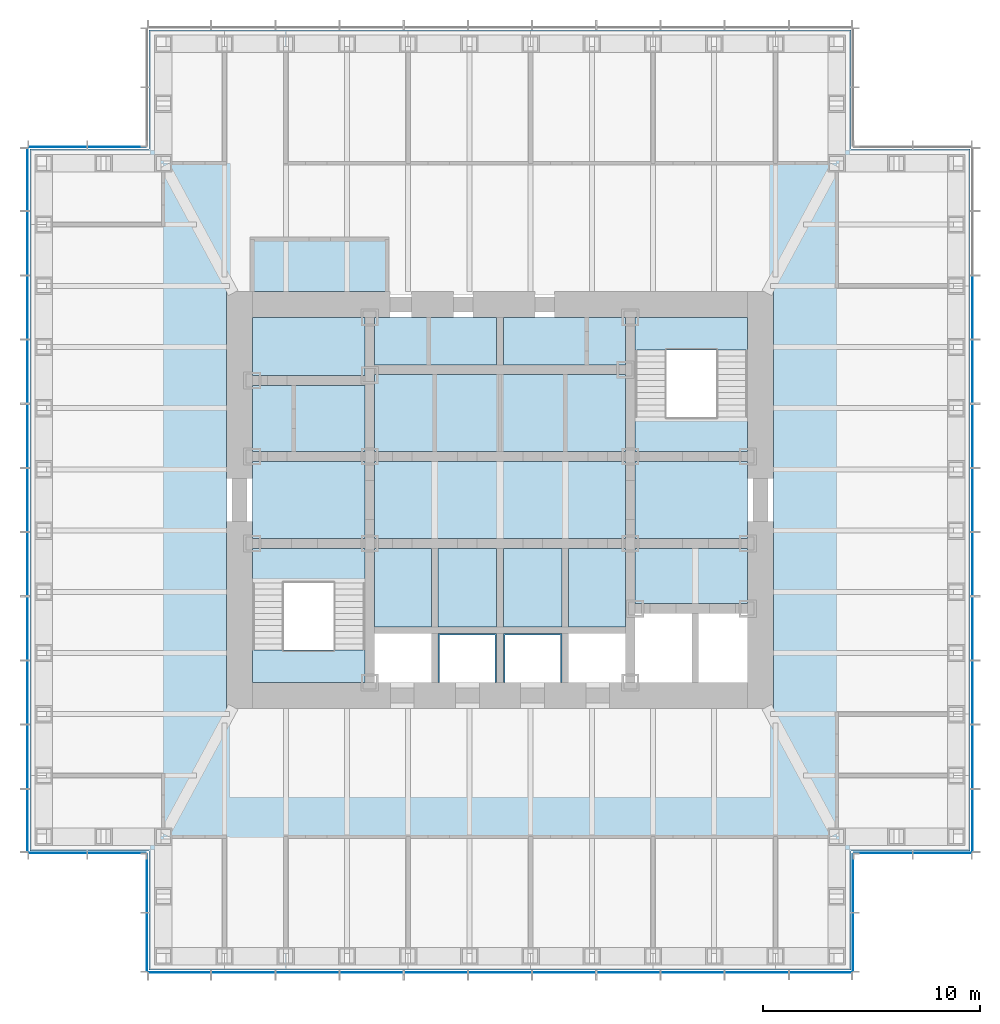
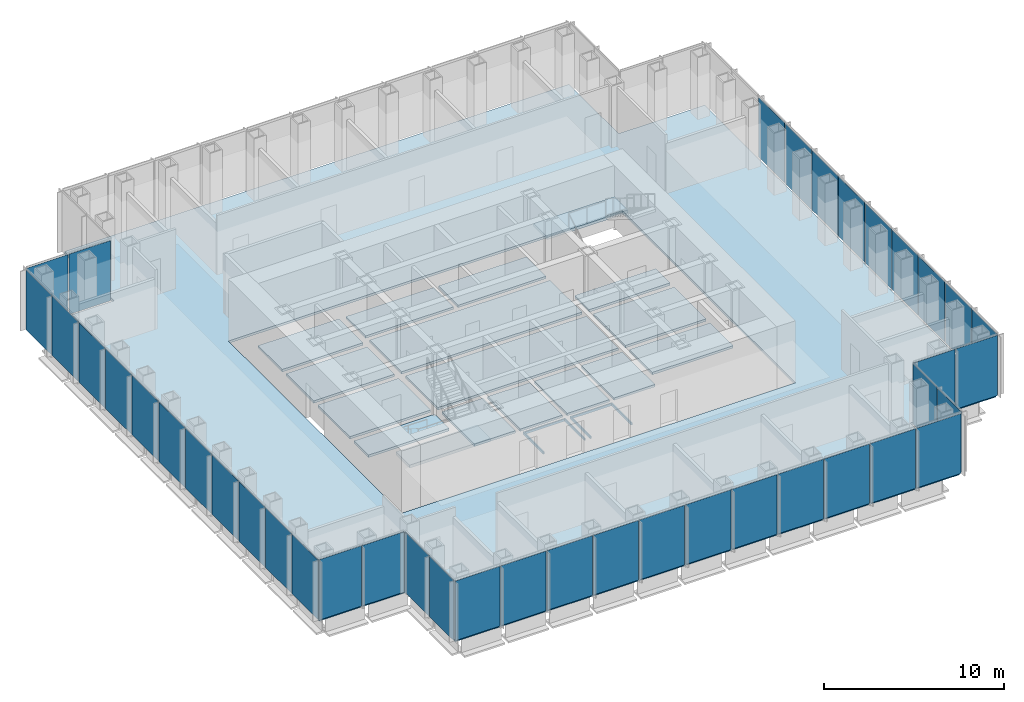
# One storey, part 7 of 16: 41 plates, 20 slabs, 10 elements without a shape of their own.
"""IFC4 building model written with IfcOpenShell, lengths in metres."""

from ifc_helpers import new_model, si_unit, direction, frame, origin, origin_2d, place, context, subcontext, project, spatial, polyline, rectangle, outline, extrude, material, layer, layer_set, type_object, element, aggregate, save


model = new_model("IFC4")

# Units and contexts
model_context = context("Model", 3, precision=1e-05, world=origin(), true_north=direction((0.0, 1.0)))
body_context = subcontext(model_context, "Body", "Model", "MODEL_VIEW")
ifc_project = project(units=[si_unit("LENGTHUNIT", "METRE"), si_unit("AREAUNIT", "SQUARE_METRE"), si_unit("VOLUMEUNIT", "CUBIC_METRE"), si_unit("PLANEANGLEUNIT", "RADIAN"), si_unit("MASSUNIT", "GRAM", prefix="KILO")], contexts=[model_context])

# Site, building, storey
site_placement = place(None, origin())
site = spatial("IfcSite", under=ifc_project, at=site_placement, CompositionType="ELEMENT")
building_placement = place(site_placement, origin())
building = spatial("IfcBuilding", under=site, at=building_placement, Name="Daluyong Arena Tower", CompositionType="ELEMENT")
storey_placement = place(building_placement, frame((0.0, 0.0, 219.10009765625)))
storey = spatial("IfcBuildingStorey", under=building, at=storey_placement, Name="L49", CompositionType="ELEMENT", Elevation=219.10009765625)

# Curtain wall, plates
ifc_material_1 = material(Name="Bronze anodised aluminium and glass", Category="aluminium")
curtain_wall_type_1 = type_object("IfcCurtainWallType", Name="Curtain wall CW3", PredefinedType="USERDEFINED", material=ifc_material_1)
curtain_wall_1_placement = place(storey_placement, origin())
curtain_wall_1 = element("IfcCurtainWall", 1, at=curtain_wall_1_placement, inside=storey, type_object=curtain_wall_type_1, Name="curtain wall L49 S", ObjectType="UNITISED CURTAIN WALL", PredefinedType="USERDEFINED")
ifc_material_2 = material(Name="Tinted double glazed unit", Category="glass")
ifc_layer_1 = layer(ifc_material_2, 0.030029296875)
ifc_layer_set_1 = layer_set([ifc_layer_1], Name="Tinted double glazed unit")
plate_type_1 = type_object("IfcPlateType", Name="CW3 panel 30", PredefinedType="CURTAIN_PANEL", material=ifc_layer_set_1)
plate_1_placement = place(storey_placement, frame((41.244873046875, 58.25, 0.0), z_axis=(0.0, 0.0, 1.0), x_axis=(1.0, 0.0, 0.0)))
plate_1 = element("IfcPlate", 2, at=plate_1_placement, type_object=plate_type_1, Name="curtain wall L49 S panel 1", PredefinedType="CURTAIN_PANEL", context=body_context, shape_type="SweptSolid", body=[
    extrude(rectangle(XDim=2.849609375, YDim=0.030029296875, at=origin_2d()), origin(), (0.0, 0.0, 1.0), 4.0400390625),
])
plate_2_placement = place(storey_placement, frame((44.181884765625, 58.25, 0.0), z_axis=(0.0, 0.0, 1.0), x_axis=(1.0, 0.0, 0.0)))
plate_2 = element("IfcPlate", 3, at=plate_2_placement, type_object=plate_type_1, Name="curtain wall L49 S panel 2", PredefinedType="CURTAIN_PANEL", context=body_context, shape_type="SweptSolid", body=[
    extrude(rectangle(XDim=2.884521484375, YDim=0.030029296875, at=origin_2d()), origin(), (0.0, 0.0, 1.0), 4.0400390625),
])
plate_3_placement = place(storey_placement, frame((47.136474609375, 58.25, 0.0), z_axis=(0.0, 0.0, 1.0), x_axis=(1.0, 0.0, 0.0)))
plate_3 = element("IfcPlate", 4, at=plate_3_placement, type_object=plate_type_1, Name="curtain wall L49 S panel 3", PredefinedType="CURTAIN_PANEL", context=body_context, shape_type="SweptSolid", body=[
    extrude(rectangle(XDim=2.884521484375, YDim=0.030029296875, at=origin_2d()), origin(), (0.0, 0.0, 1.0), 4.0400390625),
])
plate_4_placement = place(storey_placement, frame((50.0908203125, 58.25, 0.0), z_axis=(0.0, 0.0, 1.0), x_axis=(1.0, 0.0, 0.0)))
plate_4 = element("IfcPlate", 5, at=plate_4_placement, type_object=plate_type_1, Name="curtain wall L49 S panel 4", PredefinedType="CURTAIN_PANEL", context=body_context, shape_type="SweptSolid", body=[
    extrude(rectangle(XDim=2.884521484375, YDim=0.030029296875, at=origin_2d()), origin(), (0.0, 0.0, 1.0), 4.0400390625),
])
plate_5_placement = place(storey_placement, frame((53.04541015625, 58.25, 0.0), z_axis=(0.0, 0.0, 1.0), x_axis=(1.0, 0.0, 0.0)))
plate_5 = element("IfcPlate", 6, at=plate_5_placement, type_object=plate_type_1, Name="curtain wall L49 S panel 5", PredefinedType="CURTAIN_PANEL", context=body_context, shape_type="SweptSolid", body=[
    extrude(rectangle(XDim=2.884521484375, YDim=0.030029296875, at=origin_2d()), origin(), (0.0, 0.0, 1.0), 4.0400390625),
])
plate_6_placement = place(storey_placement, frame((56.0, 58.25, 0.0), z_axis=(0.0, 0.0, 1.0), x_axis=(1.0, 0.0, 0.0)))
plate_6 = element("IfcPlate", 7, at=plate_6_placement, type_object=plate_type_1, Name="curtain wall L49 S panel 6", PredefinedType="CURTAIN_PANEL", context=body_context, shape_type="SweptSolid", body=[
    extrude(rectangle(XDim=2.884521484375, YDim=0.030029296875, at=origin_2d()), origin(), (0.0, 0.0, 1.0), 4.0400390625),
])
plate_7_placement = place(storey_placement, frame((58.95458984375, 58.25, 0.0), z_axis=(0.0, 0.0, 1.0), x_axis=(1.0, 0.0, 0.0)))
plate_7 = element("IfcPlate", 8, at=plate_7_placement, type_object=plate_type_1, Name="curtain wall L49 S panel 7", PredefinedType="CURTAIN_PANEL", context=body_context, shape_type="SweptSolid", body=[
    extrude(rectangle(XDim=2.884521484375, YDim=0.030029296875, at=origin_2d()), origin(), (0.0, 0.0, 1.0), 4.0400390625),
])
plate_8_placement = place(storey_placement, frame((61.9091796875, 58.25, 0.0), z_axis=(0.0, 0.0, 1.0), x_axis=(1.0, 0.0, 0.0)))
plate_8 = element("IfcPlate", 9, at=plate_8_placement, type_object=plate_type_1, Name="curtain wall L49 S panel 8", PredefinedType="CURTAIN_PANEL", context=body_context, shape_type="SweptSolid", body=[
    extrude(rectangle(XDim=2.884521484375, YDim=0.030029296875, at=origin_2d()), origin(), (0.0, 0.0, 1.0), 4.0400390625),
])
plate_9_placement = place(storey_placement, frame((64.863525390625, 58.25, 0.0), z_axis=(0.0, 0.0, 1.0), x_axis=(1.0, 0.0, 0.0)))
plate_9 = element("IfcPlate", 10, at=plate_9_placement, type_object=plate_type_1, Name="curtain wall L49 S panel 9", PredefinedType="CURTAIN_PANEL", context=body_context, shape_type="SweptSolid", body=[
    extrude(rectangle(XDim=2.884521484375, YDim=0.030029296875, at=origin_2d()), origin(), (0.0, 0.0, 1.0), 4.0400390625),
])
plate_10_placement = place(storey_placement, frame((67.818115234375, 58.25, 0.0), z_axis=(0.0, 0.0, 1.0), x_axis=(1.0, 0.0, 0.0)))
plate_10 = element("IfcPlate", 11, at=plate_10_placement, type_object=plate_type_1, Name="curtain wall L49 S panel 10", PredefinedType="CURTAIN_PANEL", context=body_context, shape_type="SweptSolid", body=[
    extrude(rectangle(XDim=2.884521484375, YDim=0.030029296875, at=origin_2d()), origin(), (0.0, 0.0, 1.0), 4.0400390625),
])
plate_11_placement = place(storey_placement, frame((70.755126953125, 58.25, 0.0), z_axis=(0.0, 0.0, 1.0), x_axis=(1.0, 0.0, 0.0)))
plate_11 = element("IfcPlate", 12, at=plate_11_placement, type_object=plate_type_1, Name="curtain wall L49 S panel 11", PredefinedType="CURTAIN_PANEL", context=body_context, shape_type="SweptSolid", body=[
    extrude(rectangle(XDim=2.849609375, YDim=0.030029296875, at=origin_2d()), origin(), (0.0, 0.0, 1.0), 4.0400390625),
])
aggregate(curtain_wall_1, [plate_1, plate_2, plate_3, plate_4, plate_5, plate_6, plate_7, plate_8, plate_9, plate_10, plate_11])

curtain_wall_2_placement = place(storey_placement, origin())
curtain_wall_2 = element("IfcCurtainWall", 13, at=curtain_wall_2_placement, inside=storey, type_object=curtain_wall_type_1, Name="curtain wall L49 E", ObjectType="UNITISED CURTAIN WALL", PredefinedType="USERDEFINED")
plate_12_placement = place(storey_placement, frame((77.75, 65.244873046875, 0.0), z_axis=(0.0, 0.0, 1.0), x_axis=(0.0, 1.0, 0.0)))
plate_12 = element("IfcPlate", 14, at=plate_12_placement, type_object=plate_type_1, Name="curtain wall L49 E panel 1", PredefinedType="CURTAIN_PANEL", context=body_context, shape_type="SweptSolid", body=[
    extrude(rectangle(XDim=2.849609375, YDim=0.030029296875, at=origin_2d()), origin(), (0.0, 0.0, 1.0), 4.0400390625),
])
plate_13_placement = place(storey_placement, frame((77.75, 68.181884765625, 0.0), z_axis=(0.0, 0.0, 1.0), x_axis=(0.0, 1.0, 0.0)))
plate_13 = element("IfcPlate", 15, at=plate_13_placement, type_object=plate_type_1, Name="curtain wall L49 E panel 2", PredefinedType="CURTAIN_PANEL", context=body_context, shape_type="SweptSolid", body=[
    extrude(rectangle(XDim=2.884521484375, YDim=0.030029296875, at=origin_2d()), origin(), (0.0, 0.0, 1.0), 4.0400390625),
])
plate_14_placement = place(storey_placement, frame((77.75, 71.136474609375, 0.0), z_axis=(0.0, 0.0, 1.0), x_axis=(0.0, 1.0, 0.0)))
plate_14 = element("IfcPlate", 16, at=plate_14_placement, type_object=plate_type_1, Name="curtain wall L49 E panel 3", PredefinedType="CURTAIN_PANEL", context=body_context, shape_type="SweptSolid", body=[
    extrude(rectangle(XDim=2.884521484375, YDim=0.030029296875, at=origin_2d()), origin(), (0.0, 0.0, 1.0), 4.0400390625),
])
plate_15_placement = place(storey_placement, frame((77.75, 74.0908203125, 0.0), z_axis=(0.0, 0.0, 1.0), x_axis=(0.0, 1.0, 0.0)))
plate_15 = element("IfcPlate", 17, at=plate_15_placement, type_object=plate_type_1, Name="curtain wall L49 E panel 4", PredefinedType="CURTAIN_PANEL", context=body_context, shape_type="SweptSolid", body=[
    extrude(rectangle(XDim=2.884521484375, YDim=0.030029296875, at=origin_2d()), origin(), (0.0, 0.0, 1.0), 4.0400390625),
])
plate_16_placement = place(storey_placement, frame((77.75, 77.04541015625, 0.0), z_axis=(0.0, 0.0, 1.0), x_axis=(0.0, 1.0, 0.0)))
plate_16 = element("IfcPlate", 18, at=plate_16_placement, type_object=plate_type_1, Name="curtain wall L49 E panel 5", PredefinedType="CURTAIN_PANEL", context=body_context, shape_type="SweptSolid", body=[
    extrude(rectangle(XDim=2.884521484375, YDim=0.030029296875, at=origin_2d()), origin(), (0.0, 0.0, 1.0), 4.0400390625),
])
plate_17_placement = place(storey_placement, frame((77.75, 80.0, 0.0), z_axis=(0.0, 0.0, 1.0), x_axis=(0.0, 1.0, 0.0)))
plate_17 = element("IfcPlate", 19, at=plate_17_placement, type_object=plate_type_1, Name="curtain wall L49 E panel 6", PredefinedType="CURTAIN_PANEL", context=body_context, shape_type="SweptSolid", body=[
    extrude(rectangle(XDim=2.884521484375, YDim=0.030029296875, at=origin_2d()), origin(), (0.0, 0.0, 1.0), 4.0400390625),
])
plate_18_placement = place(storey_placement, frame((77.75, 82.95458984375, 0.0), z_axis=(0.0, 0.0, 1.0), x_axis=(0.0, 1.0, 0.0)))
plate_18 = element("IfcPlate", 20, at=plate_18_placement, type_object=plate_type_1, Name="curtain wall L49 E panel 7", PredefinedType="CURTAIN_PANEL", context=body_context, shape_type="SweptSolid", body=[
    extrude(rectangle(XDim=2.884521484375, YDim=0.030029296875, at=origin_2d()), origin(), (0.0, 0.0, 1.0), 4.0400390625),
])
plate_19_placement = place(storey_placement, frame((77.75, 85.9091796875, 0.0), z_axis=(0.0, 0.0, 1.0), x_axis=(0.0, 1.0, 0.0)))
plate_19 = element("IfcPlate", 21, at=plate_19_placement, type_object=plate_type_1, Name="curtain wall L49 E panel 8", PredefinedType="CURTAIN_PANEL", context=body_context, shape_type="SweptSolid", body=[
    extrude(rectangle(XDim=2.884521484375, YDim=0.030029296875, at=origin_2d()), origin(), (0.0, 0.0, 1.0), 4.0400390625),
])
plate_20_placement = place(storey_placement, frame((77.75, 88.863525390625, 0.0), z_axis=(0.0, 0.0, 1.0), x_axis=(0.0, 1.0, 0.0)))
plate_20 = element("IfcPlate", 22, at=plate_20_placement, type_object=plate_type_1, Name="curtain wall L49 E panel 9", PredefinedType="CURTAIN_PANEL", context=body_context, shape_type="SweptSolid", body=[
    extrude(rectangle(XDim=2.884521484375, YDim=0.030029296875, at=origin_2d()), origin(), (0.0, 0.0, 1.0), 4.0400390625),
])
aggregate(curtain_wall_2, [plate_12, plate_13, plate_14, plate_15, plate_16, plate_17, plate_18, plate_19, plate_20])

curtain_wall_3_placement = place(storey_placement, origin())
curtain_wall_3 = element("IfcCurtainWall", 23, at=curtain_wall_3_placement, inside=storey, type_object=curtain_wall_type_1, Name="curtain wall L49 W", ObjectType="UNITISED CURTAIN WALL", PredefinedType="USERDEFINED")
plate_21_placement = place(storey_placement, frame((34.25, 94.755126953125, 0.0), z_axis=(0.0, 0.0, 1.0), x_axis=(0.0, -1.0, 0.0)))
plate_21 = element("IfcPlate", 24, at=plate_21_placement, type_object=plate_type_1, Name="curtain wall L49 W panel 1", PredefinedType="CURTAIN_PANEL", context=body_context, shape_type="SweptSolid", body=[
    extrude(rectangle(XDim=2.849609375, YDim=0.030029296875, at=origin_2d()), origin(), (0.0, 0.0, 1.0), 4.0400390625),
])
plate_22_placement = place(storey_placement, frame((34.25, 91.818115234375, 0.0), z_axis=(0.0, 0.0, 1.0), x_axis=(0.0, -1.0, 0.0)))
plate_22 = element("IfcPlate", 25, at=plate_22_placement, type_object=plate_type_1, Name="curtain wall L49 W panel 2", PredefinedType="CURTAIN_PANEL", context=body_context, shape_type="SweptSolid", body=[
    extrude(rectangle(XDim=2.884521484375, YDim=0.030029296875, at=origin_2d()), origin(), (0.0, 0.0, 1.0), 4.0400390625),
])
plate_23_placement = place(storey_placement, frame((34.25, 88.863525390625, 0.0), z_axis=(0.0, 0.0, 1.0), x_axis=(0.0, -1.0, 0.0)))
plate_23 = element("IfcPlate", 26, at=plate_23_placement, type_object=plate_type_1, Name="curtain wall L49 W panel 3", PredefinedType="CURTAIN_PANEL", context=body_context, shape_type="SweptSolid", body=[
    extrude(rectangle(XDim=2.884521484375, YDim=0.030029296875, at=origin_2d()), origin(), (0.0, 0.0, 1.0), 4.0400390625),
])
plate_24_placement = place(storey_placement, frame((34.25, 85.9091796875, 0.0), z_axis=(0.0, 0.0, 1.0), x_axis=(0.0, -1.0, 0.0)))
plate_24 = element("IfcPlate", 27, at=plate_24_placement, type_object=plate_type_1, Name="curtain wall L49 W panel 4", PredefinedType="CURTAIN_PANEL", context=body_context, shape_type="SweptSolid", body=[
    extrude(rectangle(XDim=2.884521484375, YDim=0.030029296875, at=origin_2d()), origin(), (0.0, 0.0, 1.0), 4.0400390625),
])
plate_25_placement = place(storey_placement, frame((34.25, 82.95458984375, 0.0), z_axis=(0.0, 0.0, 1.0), x_axis=(0.0, -1.0, 0.0)))
plate_25 = element("IfcPlate", 28, at=plate_25_placement, type_object=plate_type_1, Name="curtain wall L49 W panel 5", PredefinedType="CURTAIN_PANEL", context=body_context, shape_type="SweptSolid", body=[
    extrude(rectangle(XDim=2.884521484375, YDim=0.030029296875, at=origin_2d()), origin(), (0.0, 0.0, 1.0), 4.0400390625),
])
plate_26_placement = place(storey_placement, frame((34.25, 80.0, 0.0), z_axis=(0.0, 0.0, 1.0), x_axis=(0.0, -1.0, 0.0)))
plate_26 = element("IfcPlate", 29, at=plate_26_placement, type_object=plate_type_1, Name="curtain wall L49 W panel 6", PredefinedType="CURTAIN_PANEL", context=body_context, shape_type="SweptSolid", body=[
    extrude(rectangle(XDim=2.884521484375, YDim=0.030029296875, at=origin_2d()), origin(), (0.0, 0.0, 1.0), 4.0400390625),
])
plate_27_placement = place(storey_placement, frame((34.25, 77.04541015625, 0.0), z_axis=(0.0, 0.0, 1.0), x_axis=(0.0, -1.0, 0.0)))
plate_27 = element("IfcPlate", 30, at=plate_27_placement, type_object=plate_type_1, Name="curtain wall L49 W panel 7", PredefinedType="CURTAIN_PANEL", context=body_context, shape_type="SweptSolid", body=[
    extrude(rectangle(XDim=2.884521484375, YDim=0.030029296875, at=origin_2d()), origin(), (0.0, 0.0, 1.0), 4.0400390625),
])
plate_28_placement = place(storey_placement, frame((34.25, 74.0908203125, 0.0), z_axis=(0.0, 0.0, 1.0), x_axis=(0.0, -1.0, 0.0)))
plate_28 = element("IfcPlate", 31, at=plate_28_placement, type_object=plate_type_1, Name="curtain wall L49 W panel 8", PredefinedType="CURTAIN_PANEL", context=body_context, shape_type="SweptSolid", body=[
    extrude(rectangle(XDim=2.884521484375, YDim=0.030029296875, at=origin_2d()), origin(), (0.0, 0.0, 1.0), 4.0400390625),
])
plate_29_placement = place(storey_placement, frame((34.25, 71.136474609375, 0.0), z_axis=(0.0, 0.0, 1.0), x_axis=(0.0, -1.0, 0.0)))
plate_29 = element("IfcPlate", 32, at=plate_29_placement, type_object=plate_type_1, Name="curtain wall L49 W panel 9", PredefinedType="CURTAIN_PANEL", context=body_context, shape_type="SweptSolid", body=[
    extrude(rectangle(XDim=2.884521484375, YDim=0.030029296875, at=origin_2d()), origin(), (0.0, 0.0, 1.0), 4.0400390625),
])
plate_30_placement = place(storey_placement, frame((34.25, 68.181884765625, 0.0), z_axis=(0.0, 0.0, 1.0), x_axis=(0.0, -1.0, 0.0)))
plate_30 = element("IfcPlate", 33, at=plate_30_placement, type_object=plate_type_1, Name="curtain wall L49 W panel 10", PredefinedType="CURTAIN_PANEL", context=body_context, shape_type="SweptSolid", body=[
    extrude(rectangle(XDim=2.884521484375, YDim=0.030029296875, at=origin_2d()), origin(), (0.0, 0.0, 1.0), 4.0400390625),
])
plate_31_placement = place(storey_placement, frame((34.25, 65.244873046875, 0.0), z_axis=(0.0, 0.0, 1.0), x_axis=(0.0, -1.0, 0.0)))
plate_31 = element("IfcPlate", 34, at=plate_31_placement, type_object=plate_type_1, Name="curtain wall L49 W panel 11", PredefinedType="CURTAIN_PANEL", context=body_context, shape_type="SweptSolid", body=[
    extrude(rectangle(XDim=2.849609375, YDim=0.030029296875, at=origin_2d()), origin(), (0.0, 0.0, 1.0), 4.0400390625),
])
aggregate(curtain_wall_3, [plate_21, plate_22, plate_23, plate_24, plate_25, plate_26, plate_27, plate_28, plate_29, plate_30, plate_31])

ifc_material_3 = material(Name="Bronze anodised aluminium and glass", Category="aluminium")
curtain_wall_type_2 = type_object("IfcCurtainWallType", Name="Curtain wall CW7", PredefinedType="USERDEFINED", material=ifc_material_3)
curtain_wall_4_placement = place(storey_placement, origin())
curtain_wall_4 = element("IfcCurtainWall", 35, at=curtain_wall_4_placement, inside=storey, type_object=curtain_wall_type_2, Name="curtain wall L49 SE-E", ObjectType="UNITISED CURTAIN WALL", PredefinedType="USERDEFINED")
ifc_material_4 = material(Name="Tinted double glazed unit", Category="glass")
ifc_layer_2 = layer(ifc_material_4, 0.028076171875)
ifc_layer_set_2 = layer_set([ifc_layer_2], Name="Tinted double glazed unit")
plate_type_2 = type_object("IfcPlateType", Name="CW7 panel 28", PredefinedType="CURTAIN_PANEL", material=ifc_layer_set_2)
plate_32_placement = place(storey_placement, frame((72.25, 59.639892578125, -0.000244140625), z_axis=(0.0, 0.0, 1.0), x_axis=(0.0, 1.0, 0.0)))
plate_32 = element("IfcPlate", 36, at=plate_32_placement, type_object=plate_type_2, Name="curtain wall L49 SE-E panel 1", PredefinedType="CURTAIN_PANEL", context=body_context, shape_type="SweptSolid", body=[
    extrude(rectangle(XDim=2.659912109375, YDim=0.028076171875, at=origin_2d()), origin(), (0.0, 0.0, 1.0), 4.080078125),
])
plate_33_placement = place(storey_placement, frame((72.25, 62.360107421875, -0.000244140625), z_axis=(0.0, 0.0, 1.0), x_axis=(0.0, 1.0, 0.0)))
plate_33 = element("IfcPlate", 37, at=plate_33_placement, type_object=plate_type_2, Name="curtain wall L49 SE-E panel 2", PredefinedType="CURTAIN_PANEL", context=body_context, shape_type="SweptSolid", body=[
    extrude(rectangle(XDim=2.659912109375, YDim=0.028076171875, at=origin_2d()), origin(), (0.0, 0.0, 1.0), 4.080078125),
])
aggregate(curtain_wall_4, [plate_32, plate_33])

curtain_wall_5_placement = place(storey_placement, origin())
curtain_wall_5 = element("IfcCurtainWall", 38, at=curtain_wall_5_placement, inside=storey, type_object=curtain_wall_type_2, Name="curtain wall L49 SE-S", ObjectType="UNITISED CURTAIN WALL", PredefinedType="USERDEFINED")
plate_34_placement = place(storey_placement, frame((73.639892578125, 63.75, -0.000244140625), z_axis=(0.0, 0.0, 1.0), x_axis=(1.0, 0.0, 0.0)))
plate_34 = element("IfcPlate", 39, at=plate_34_placement, type_object=plate_type_2, Name="curtain wall L49 SE-S panel 1", PredefinedType="CURTAIN_PANEL", context=body_context, shape_type="SweptSolid", body=[
    extrude(rectangle(XDim=2.659912109375, YDim=0.028076171875, at=origin_2d()), origin(), (0.0, 0.0, 1.0), 4.080078125),
])
plate_35_placement = place(storey_placement, frame((76.360107421875, 63.75, -0.000244140625), z_axis=(0.0, 0.0, 1.0), x_axis=(1.0, 0.0, 0.0)))
plate_35 = element("IfcPlate", 40, at=plate_35_placement, type_object=plate_type_2, Name="curtain wall L49 SE-S panel 2", PredefinedType="CURTAIN_PANEL", context=body_context, shape_type="SweptSolid", body=[
    extrude(rectangle(XDim=2.659912109375, YDim=0.028076171875, at=origin_2d()), origin(), (0.0, 0.0, 1.0), 4.080078125),
])
aggregate(curtain_wall_5, [plate_34, plate_35])

curtain_wall_6_placement = place(storey_placement, origin())
curtain_wall_6 = element("IfcCurtainWall", 41, at=curtain_wall_6_placement, inside=storey, type_object=curtain_wall_type_2, Name="curtain wall L49 NW-N", ObjectType="UNITISED CURTAIN WALL", PredefinedType="USERDEFINED")
plate_36_placement = place(storey_placement, frame((38.360107421875, 96.25, -0.000244140625), z_axis=(0.0, 0.0, 1.0), x_axis=(-1.0, 0.0, 0.0)))
plate_36 = element("IfcPlate", 42, at=plate_36_placement, type_object=plate_type_2, Name="curtain wall L49 NW-N panel 1", PredefinedType="CURTAIN_PANEL", context=body_context, shape_type="SweptSolid", body=[
    extrude(rectangle(XDim=2.659912109375, YDim=0.028076171875, at=origin_2d()), origin(), (0.0, 0.0, 1.0), 4.080078125),
])
plate_37_placement = place(storey_placement, frame((35.639892578125, 96.25, -0.000244140625), z_axis=(0.0, 0.0, 1.0), x_axis=(-1.0, 0.0, 0.0)))
plate_37 = element("IfcPlate", 43, at=plate_37_placement, type_object=plate_type_2, Name="curtain wall L49 NW-N panel 2", PredefinedType="CURTAIN_PANEL", context=body_context, shape_type="SweptSolid", body=[
    extrude(rectangle(XDim=2.659912109375, YDim=0.028076171875, at=origin_2d()), origin(), (0.0, 0.0, 1.0), 4.080078125),
])
aggregate(curtain_wall_6, [plate_36, plate_37])

curtain_wall_7_placement = place(storey_placement, origin())
curtain_wall_7 = element("IfcCurtainWall", 44, at=curtain_wall_7_placement, inside=storey, type_object=curtain_wall_type_2, Name="curtain wall L49 SW-S", ObjectType="UNITISED CURTAIN WALL", PredefinedType="USERDEFINED")
plate_38_placement = place(storey_placement, frame((35.639892578125, 63.75, -0.000244140625), z_axis=(0.0, 0.0, 1.0), x_axis=(1.0, 0.0, 0.0)))
plate_38 = element("IfcPlate", 45, at=plate_38_placement, type_object=plate_type_2, Name="curtain wall L49 SW-S panel 1", PredefinedType="CURTAIN_PANEL", context=body_context, shape_type="SweptSolid", body=[
    extrude(rectangle(XDim=2.659912109375, YDim=0.028076171875, at=origin_2d()), origin(), (0.0, 0.0, 1.0), 4.080078125),
])
plate_39_placement = place(storey_placement, frame((38.360107421875, 63.75, -0.000244140625), z_axis=(0.0, 0.0, 1.0), x_axis=(1.0, 0.0, 0.0)))
plate_39 = element("IfcPlate", 46, at=plate_39_placement, type_object=plate_type_2, Name="curtain wall L49 SW-S panel 2", PredefinedType="CURTAIN_PANEL", context=body_context, shape_type="SweptSolid", body=[
    extrude(rectangle(XDim=2.659912109375, YDim=0.028076171875, at=origin_2d()), origin(), (0.0, 0.0, 1.0), 4.080078125),
])
aggregate(curtain_wall_7, [plate_38, plate_39])

curtain_wall_8_placement = place(storey_placement, origin())
curtain_wall_8 = element("IfcCurtainWall", 47, at=curtain_wall_8_placement, inside=storey, type_object=curtain_wall_type_2, Name="curtain wall L49 SW-W", ObjectType="UNITISED CURTAIN WALL", PredefinedType="USERDEFINED")
plate_40_placement = place(storey_placement, frame((39.75, 62.360107421875, -0.000244140625), z_axis=(0.0, 0.0, 1.0), x_axis=(0.0, -1.0, 0.0)))
plate_40 = element("IfcPlate", 48, at=plate_40_placement, type_object=plate_type_2, Name="curtain wall L49 SW-W panel 1", PredefinedType="CURTAIN_PANEL", context=body_context, shape_type="SweptSolid", body=[
    extrude(rectangle(XDim=2.659912109375, YDim=0.028076171875, at=origin_2d()), origin(), (0.0, 0.0, 1.0), 4.080078125),
])
plate_41_placement = place(storey_placement, frame((39.75, 59.639892578125, -0.000244140625), z_axis=(0.0, 0.0, 1.0), x_axis=(0.0, -1.0, 0.0)))
plate_41 = element("IfcPlate", 49, at=plate_41_placement, type_object=plate_type_2, Name="curtain wall L49 SW-W panel 2", PredefinedType="CURTAIN_PANEL", context=body_context, shape_type="SweptSolid", body=[
    extrude(rectangle(XDim=2.659912109375, YDim=0.028076171875, at=origin_2d()), origin(), (0.0, 0.0, 1.0), 4.080078125),
])
aggregate(curtain_wall_8, [plate_40, plate_41])

# Stair, slab
ifc_material_5 = material(Name="Concrete fc' 35 MPa", Category="concrete")
stair_type = type_object("IfcStairType", Name="Core exit stair", PredefinedType="HALF_TURN_STAIR", material=ifc_material_5)
stair_1_placement = place(storey_placement, origin())
stair_1 = element("IfcStair", 50, at=stair_1_placement, inside=storey, type_object=stair_type, Name="exit stair A L49", PredefinedType="HALF_TURN_STAIR")
ifc_material_6 = material(Name="Concrete fc' 35 MPa", Category="concrete")
ifc_layer_3 = layer(ifc_material_6, 0.199951171875)
ifc_layer_set_3 = layer_set([ifc_layer_3], Name="Concrete fc' 35 MPa")
slab_type_1 = type_object("IfcSlabType", Name="Stair landing 200", PredefinedType="LANDING", material=ifc_layer_set_3)
slab_1_placement = place(storey_placement, frame((0.0, 0.0, 1.89990234375)))
slab_1 = element("IfcSlab", 51, at=slab_1_placement, type_object=slab_type_1, Name="STA landing 1", PredefinedType="LANDING", context=body_context, shape_type="SweptSolid", body=[
    extrude(outline(polyline([(44.60009765625, 71.60009765625), (49.77490234375, 71.60009765625), (49.77490234375, 73.094970703125), (44.60009765625, 73.094970703125), (44.60009765625, 71.60009765625)])), origin(), (0.0, 0.0, 1.0), 0.199951171875),
])
aggregate(stair_1, [slab_1])

stair_2_placement = place(storey_placement, origin())
stair_2 = element("IfcStair", 52, at=stair_2_placement, inside=storey, type_object=stair_type, Name="exit stair B L49", PredefinedType="HALF_TURN_STAIR")
slab_2_placement = place(storey_placement, frame((0.0, 0.0, 1.89990234375)))
slab_2 = element("IfcSlab", 53, at=slab_2_placement, type_object=slab_type_1, Name="STB landing 1", PredefinedType="LANDING", context=body_context, shape_type="SweptSolid", body=[
    extrude(outline(polyline([(62.22509765625, 86.905029296875), (67.39990234375, 86.905029296875), (67.39990234375, 88.39990234375), (62.22509765625, 88.39990234375), (62.22509765625, 86.905029296875)])), origin(), (0.0, 0.0, 1.0), 0.199951171875),
])
aggregate(stair_2, [slab_2])

# Slabs
ifc_material_7 = material(Name="Concrete fc' 35 MPa", Category="concrete")
ifc_layer_4 = layer(ifc_material_7, 0.159912109375)
ifc_layer_set_4 = layer_set([ifc_layer_4], Name="Concrete fc' 35 MPa")
slab_type_2 = type_object("IfcSlabType", Name="Tower floor slab 160", PredefinedType="FLOOR", material=ifc_layer_set_4)
slab_3_placement = place(storey_placement, frame((0.0, 0.0, -0.16015625)))
element("IfcSlab", 54, at=slab_3_placement, inside=storey, type_object=slab_type_2, Name="floor L49 part 1", PredefinedType="FLOOR", context=body_context, shape_type="SweptSolid", body=[
    extrude(outline(polyline([(49.77490234375, 77.77490234375), (44.60009765625, 77.77490234375), (44.60009765625, 76.175048828125), (49.77490234375, 76.175048828125), (49.77490234375, 77.77490234375)])), origin(), (0.0, 0.0, 1.0), 0.16015625),
])
slab_4_placement = place(storey_placement, frame((0.0, 0.0, -0.16015625)))
element("IfcSlab", 55, at=slab_4_placement, inside=storey, type_object=slab_type_2, Name="floor L49 part 2", PredefinedType="FLOOR", context=body_context, shape_type="SweptSolid", body=[
    extrude(outline(polyline([(49.77490234375, 78.22509765625), (49.77490234375, 81.77490234375), (44.60009765625, 81.77490234375), (44.60009765625, 78.22509765625), (49.77490234375, 78.22509765625)])), origin(), (0.0, 0.0, 1.0), 0.16015625),
])
slab_5_placement = place(storey_placement, frame((0.0, 0.0, -0.16015625)))
element("IfcSlab", 56, at=slab_5_placement, inside=storey, type_object=slab_type_2, Name="floor L49 part 3", PredefinedType="FLOOR", context=body_context, shape_type="SweptSolid", body=[
    extrude(outline(polyline([(44.60009765625, 85.27490234375), (44.60009765625, 82.22509765625), (49.77490234375, 82.22509765625), (49.77490234375, 85.27490234375), (44.60009765625, 85.27490234375)])), origin(), (0.0, 0.0, 1.0), 0.16015625),
])
slab_6_placement = place(storey_placement, frame((0.0, 0.0, -0.16015625)))
element("IfcSlab", 57, at=slab_6_placement, inside=storey, type_object=slab_type_2, Name="floor L49 part 4", PredefinedType="FLOOR", context=body_context, shape_type="SweptSolid", body=[
    extrude(outline(polyline([(44.60009765625, 88.39990234375), (44.60009765625, 85.72509765625), (49.77490234375, 85.72509765625), (49.77490234375, 88.39990234375), (44.60009765625, 88.39990234375)])), origin(), (0.0, 0.0, 1.0), 0.16015625),
])
slab_7_placement = place(storey_placement, frame((0.0, 0.0, -0.16015625)))
element("IfcSlab", 58, at=slab_7_placement, inside=storey, type_object=slab_type_2, Name="floor L49 part 5", PredefinedType="FLOOR", context=body_context, shape_type="SweptSolid", body=[
    extrude(outline(polyline([(52.85009765625, 74.14990234375), (52.85009765625, 77.77490234375), (50.22509765625, 77.77490234375), (50.22509765625, 74.14990234375), (52.85009765625, 74.14990234375)])), origin(), (0.0, 0.0, 1.0), 0.16015625),
])
slab_8_placement = place(storey_placement, frame((0.0, 0.0, -0.16015625)))
element("IfcSlab", 59, at=slab_8_placement, inside=storey, type_object=slab_type_2, Name="floor L49 part 6", PredefinedType="FLOOR", context=body_context, shape_type="SweptSolid", body=[
    extrude(outline(polyline([(50.22509765625, 88.39990234375), (50.22509765625, 86.22509765625), (55.85009765625, 86.22509765625), (55.85009765625, 88.39990234375), (50.22509765625, 88.39990234375)])), origin(), (0.0, 0.0, 1.0), 0.16015625),
])
slab_9_placement = place(storey_placement, frame((0.0, 0.0, -0.16015625)))
element("IfcSlab", 60, at=slab_9_placement, inside=storey, type_object=slab_type_2, Name="floor L49 part 7", PredefinedType="FLOOR", context=body_context, shape_type="SweptSolid", body=[
    extrude(outline(polyline([(53.22509765625, 71.60009765625), (53.22509765625, 73.77490234375), (55.77490234375, 73.77490234375), (55.77490234375, 71.60009765625), (55.85009765625, 71.60009765625), (55.85009765625, 73.85009765625), (53.14990234375, 73.85009765625), (53.14990234375, 71.60009765625), (53.22509765625, 71.60009765625)])), origin(), (0.0, 0.0, 1.0), 0.16015625),
])
slab_10_placement = place(storey_placement, frame((0.0, 0.0, -0.16015625)))
element("IfcSlab", 61, at=slab_10_placement, inside=storey, type_object=slab_type_2, Name="floor L49 part 8", PredefinedType="FLOOR", context=body_context, shape_type="SweptSolid", body=[
    extrude(outline(polyline([(53.14990234375, 74.14990234375), (55.85009765625, 74.14990234375), (55.85009765625, 77.77490234375), (53.14990234375, 77.77490234375), (53.14990234375, 74.14990234375)])), origin(), (0.0, 0.0, 1.0), 0.16015625),
])
slab_11_placement = place(storey_placement, frame((0.0, 0.0, -0.16015625)))
element("IfcSlab", 62, at=slab_11_placement, inside=storey, type_object=slab_type_2, Name="floor L49 part 9", PredefinedType="FLOOR", context=body_context, shape_type="SweptSolid", body=[
    extrude(outline(polyline([(39.85009765625, 63.85009765625), (39.85009765625, 58.35009765625), (72.14990234375, 58.35009765625), (72.14990234375, 63.85009765625), (77.64990234375, 63.85009765625), (77.64990234375, 96.14990234375), (72.14990234375, 96.14990234375), (72.14990234375, 101.64990234375), (39.85009765625, 101.64990234375), (39.85009765625, 96.14990234375), (34.35009765625, 96.14990234375), (34.35009765625, 63.85009765625), (39.85009765625, 63.85009765625)]), holes=[polyline([(68.60009765625, 89.60009765625), (68.60009765625, 70.39990234375), (43.39990234375, 70.39990234375), (43.39990234375, 89.60009765625), (68.60009765625, 89.60009765625)])]), origin(), (0.0, 0.0, 1.0), 0.16015625),
])
slab_12_placement = place(storey_placement, frame((0.0, 0.0, -0.16015625)))
element("IfcSlab", 63, at=slab_12_placement, inside=storey, type_object=slab_type_2, Name="floor L49 part 10", PredefinedType="FLOOR", context=body_context, shape_type="SweptSolid", body=[
    extrude(outline(polyline([(50.22509765625, 81.77490234375), (50.22509765625, 78.22509765625), (61.77490234375, 78.22509765625), (61.77490234375, 81.77490234375), (50.22509765625, 81.77490234375)])), origin(), (0.0, 0.0, 1.0), 0.16015625),
])
slab_13_placement = place(storey_placement, frame((0.0, 0.0, -0.16015625)))
element("IfcSlab", 64, at=slab_13_placement, inside=storey, type_object=slab_type_2, Name="floor L49 part 11", PredefinedType="FLOOR", context=body_context, shape_type="SweptSolid", body=[
    extrude(outline(polyline([(50.22509765625, 85.77490234375), (50.22509765625, 82.22509765625), (61.77490234375, 82.22509765625), (61.77490234375, 85.77490234375), (50.22509765625, 85.77490234375)])), origin(), (0.0, 0.0, 1.0), 0.16015625),
])
slab_14_placement = place(storey_placement, frame((0.0, 0.0, -0.16015625)))
element("IfcSlab", 65, at=slab_14_placement, inside=storey, type_object=slab_type_2, Name="floor L49 part 12", PredefinedType="FLOOR", context=body_context, shape_type="SweptSolid", body=[
    extrude(outline(polyline([(56.22509765625, 71.60009765625), (56.22509765625, 73.77490234375), (58.77490234375, 73.77490234375), (58.77490234375, 71.60009765625), (58.85009765625, 71.60009765625), (58.85009765625, 73.85009765625), (56.14990234375, 73.85009765625), (56.14990234375, 71.60009765625), (56.22509765625, 71.60009765625)])), origin(), (0.0, 0.0, 1.0), 0.16015625),
])
slab_15_placement = place(storey_placement, frame((0.0, 0.0, -0.16015625)))
element("IfcSlab", 66, at=slab_15_placement, inside=storey, type_object=slab_type_2, Name="floor L49 part 13", PredefinedType="FLOOR", context=body_context, shape_type="SweptSolid", body=[
    extrude(outline(polyline([(58.85009765625, 77.77490234375), (56.14990234375, 77.77490234375), (56.14990234375, 74.14990234375), (58.85009765625, 74.14990234375), (58.85009765625, 77.77490234375)])), origin(), (0.0, 0.0, 1.0), 0.16015625),
])
slab_16_placement = place(storey_placement, frame((0.0, 0.0, -0.16015625)))
element("IfcSlab", 67, at=slab_16_placement, inside=storey, type_object=slab_type_2, Name="floor L49 part 14", PredefinedType="FLOOR", context=body_context, shape_type="SweptSolid", body=[
    extrude(outline(polyline([(56.14990234375, 88.39990234375), (56.14990234375, 86.22509765625), (61.77490234375, 86.22509765625), (61.77490234375, 88.39990234375), (56.14990234375, 88.39990234375)])), origin(), (0.0, 0.0, 1.0), 0.16015625),
])
slab_17_placement = place(storey_placement, frame((0.0, 0.0, -0.16015625)))
element("IfcSlab", 68, at=slab_17_placement, inside=storey, type_object=slab_type_2, Name="floor L49 part 15", PredefinedType="FLOOR", context=body_context, shape_type="SweptSolid", body=[
    extrude(outline(polyline([(61.77490234375, 77.77490234375), (59.14990234375, 77.77490234375), (59.14990234375, 74.14990234375), (61.77490234375, 74.14990234375), (61.77490234375, 77.77490234375)])), origin(), (0.0, 0.0, 1.0), 0.16015625),
])
slab_18_placement = place(storey_placement, frame((0.0, 0.0, -0.16015625)))
element("IfcSlab", 69, at=slab_18_placement, inside=storey, type_object=slab_type_2, Name="floor L49 part 16", PredefinedType="FLOOR", context=body_context, shape_type="SweptSolid", body=[
    extrude(outline(polyline([(67.39990234375, 75.22509765625), (67.39990234375, 77.77490234375), (62.22509765625, 77.77490234375), (62.22509765625, 75.22509765625), (67.39990234375, 75.22509765625)])), origin(), (0.0, 0.0, 1.0), 0.16015625),
])
slab_19_placement = place(storey_placement, frame((0.0, 0.0, -0.16015625)))
element("IfcSlab", 70, at=slab_19_placement, inside=storey, type_object=slab_type_2, Name="floor L49 part 17", PredefinedType="FLOOR", context=body_context, shape_type="SweptSolid", body=[
    extrude(outline(polyline([(67.39990234375, 78.22509765625), (67.39990234375, 81.77490234375), (62.22509765625, 81.77490234375), (62.22509765625, 78.22509765625), (67.39990234375, 78.22509765625)])), origin(), (0.0, 0.0, 1.0), 0.16015625),
])
slab_20_placement = place(storey_placement, frame((0.0, 0.0, -0.16015625)))
element("IfcSlab", 71, at=slab_20_placement, inside=storey, type_object=slab_type_2, Name="floor L49 part 18", PredefinedType="FLOOR", context=body_context, shape_type="SweptSolid", body=[
    extrude(outline(polyline([(67.39990234375, 83.824951171875), (62.22509765625, 83.824951171875), (62.22509765625, 82.22509765625), (67.39990234375, 82.22509765625), (67.39990234375, 83.824951171875)])), origin(), (0.0, 0.0, 1.0), 0.16015625),
])

save(model, "model.ifc")
